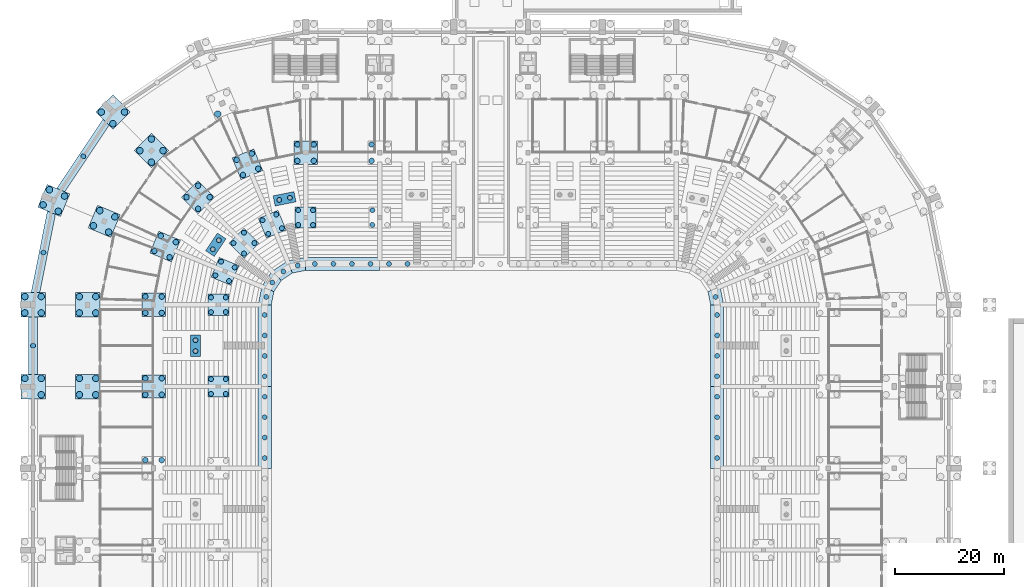
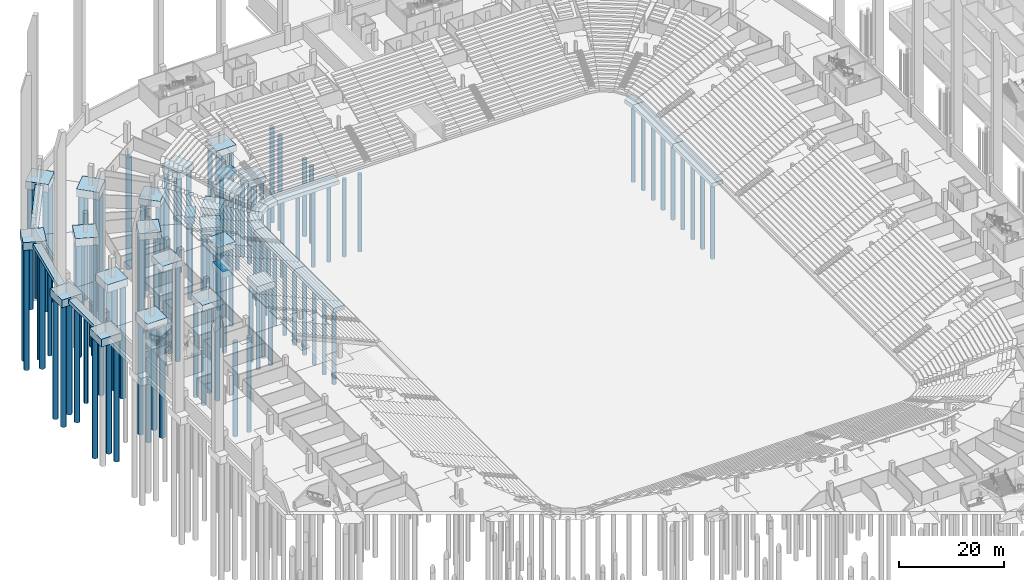
# One storey, part 6 of 115: 121 piles, 36 footings.
"""IFC4 building model written with IfcOpenShell, lengths in metres."""

from ifc_helpers import new_model, si_unit, direction, frame, origin, origin_2d, place, context, subcontext, project, spatial, polyline, rectangle, circle, outline, extrude, material, layer, layer_set, material_profile, profile_set, type_object, element, save


model = new_model("IFC4")

# Units and contexts
model_context = context("Model", 3, precision=1e-05, world=origin(), true_north=direction((0.0, 1.0)))
body_context = subcontext(model_context, "Body", "Model", "MODEL_VIEW")
ifc_project = project(units=[si_unit("LENGTHUNIT", "METRE"), si_unit("AREAUNIT", "SQUARE_METRE"), si_unit("VOLUMEUNIT", "CUBIC_METRE"), si_unit("PLANEANGLEUNIT", "RADIAN"), si_unit("MASSUNIT", "GRAM", prefix="KILO")], contexts=[model_context])

# Site, building, storey
site_placement = place(None, origin())
site = spatial("IfcSite", under=ifc_project, at=site_placement, CompositionType="ELEMENT")
building_placement = place(site_placement, origin())
building = spatial("IfcBuilding", under=site, at=building_placement, Name="Ogive Plaza Stadium", CompositionType="ELEMENT")
storey_placement = place(building_placement, frame((0.0, 0.0, -4.5)))
storey = spatial("IfcBuildingStorey", under=building, at=storey_placement, Name="B1", CompositionType="ELEMENT", Elevation=-4.5)

# Piles
ifc_material_1 = material(Name="Concrete C40/50", Category="concrete")
ifc_material_profile_1 = material_profile(ifc_material_1, circle(Radius=0.5, at=origin_2d()), Name="RC D1000")
ifc_profile_set_1 = profile_set([ifc_material_profile_1], Name="Concrete C40/50")
pile_type_1 = type_object("IfcPileType", Name="Bored pile D1000", PredefinedType="BORED", material=ifc_profile_set_1)
for number, where, z_axis, x_axis, name in (
    (1, (-60.39990234375, 24.0, -1.5), (0.0, 0.0, -1.0), (1.0, 0.0, 0.0), "Bored pile F3:R26 1"),
    (2, (-63.39990234375, 24.0, -1.5), (0.0, 0.0, -1.0), (1.0, 0.0, 0.0), "Bored pile F3:R26 3"),
    (3, (-60.39990234375, 39.0, -1.5), (0.0, 0.0, -1.0), (1.0, 0.0, 0.0), "Bored pile F3:R27 1"),
    (4, (-60.39990234375, 36.0, -1.5), (0.0, 0.0, -1.0), (1.0, 0.0, 0.0), "Bored pile F3:R27 2"),
    (5, (-63.39990234375, 39.0, -1.5), (0.0, 0.0, -1.0), (1.0, 0.0, 0.0), "Bored pile F3:R27 3"),
    (6, (-63.39990234375, 36.0, -1.5), (0.0, 0.0, -1.0), (1.0, 0.0, 0.0), "Bored pile F3:R27 4"),
    (7, (-60.39990234375, 54.0, -1.5), (0.0, 0.0, -1.0), (1.0, 0.0, 0.0), "Bored pile F3:R28 1"),
    (8, (-60.39990234375, 51.0, -1.5), (0.0, 0.0, -1.0), (1.0, 0.0, 0.0), "Bored pile F3:R28 2"),
    (9, (-63.39990234375, 54.0, -1.5), (0.0, 0.0, -1.0), (1.0, 0.0, 0.0), "Bored pile F3:R28 3"),
    (10, (-63.39990234375, 51.0, -1.5), (0.0, 0.0, -1.0), (1.0, 0.0, 0.0), "Bored pile F3:R28 4"),
    (11, (-57.81640625, 63.98876953125, -1.5), (0.0, 0.0, -1.0), (1.0, 0.0, 0.0), "Bored pile F3:R29 1"),
    (12, (-58.96435546875, 61.217041015625, -1.5), (0.0, 0.0, -1.0), (1.0, 0.0, 0.0), "Bored pile F3:R29 2"),
    (13, (-60.588134765625, 65.13671875, -1.5), (0.0, 0.0, -1.0), (1.0, 0.0, 0.0), "Bored pile F3:R29 3"),
    (14, (-61.736083984375, 62.364990234375, -1.5), (0.0, 0.0, -1.0), (1.0, 0.0, 0.0), "Bored pile F3:R29 4"),
    (15, (-51.60693359375, 72.228271484375, -1.5), (0.0, 0.0, -1.0), (1.0, 0.0, 0.0), "Bored pile F3:R30 1"),
    (16, (-53.728271484375, 70.10693359375, -1.5), (0.0, 0.0, -1.0), (1.0, 0.0, 0.0), "Bored pile F3:R30 2"),
    (17, (-53.728271484375, 74.349609375, -1.5), (0.0, 0.0, -1.0), (1.0, 0.0, 0.0), "Bored pile F3:R30 3"),
    (18, (-55.849609375, 72.228271484375, -1.5), (0.0, 0.0, -1.0), (1.0, 0.0, 0.0), "Bored pile F3:R30 4"),
    (19, (-42.717041015625, 77.46435546875, -1.5), (0.0, 0.0, -1.0), (1.0, 0.0, 0.0), "Bored pile F3:R31 1"),
    (20, (-45.48876953125, 76.31640625, -1.5), (0.0, 0.0, -1.0), (1.0, 0.0, 0.0), "Bored pile F3:R31 2"),
    (21, (-43.864990234375, 80.236083984375, -1.5), (0.0, 0.0, -1.0), (1.0, 0.0, 0.0), "Bored pile F3:R31 3"),
    (22, (-46.63671875, 79.088134765625, -1.5), (0.0, 0.0, -1.0), (1.0, 0.0, 0.0), "Bored pile F3:R31 4"),
    (23, (-32.5, 78.89990234375, -1.5), (0.0, 0.0, -1.0), (1.0, 0.0, 0.0), "Bored pile F3:R32 1"),
    (24, (-35.5, 78.89990234375, -1.5), (0.0, 0.0, -1.0), (1.0, 0.0, 0.0), "Bored pile F3:R32 2"),
    (25, (-32.5, 81.89990234375, -1.5), (0.0, 0.0, -1.0), (1.0, 0.0, 0.0), "Bored pile F3:R32 3"),
    (26, (-35.5, 81.89990234375, -1.5), (0.0, 0.0, -1.0), (1.0, 0.0, 0.0), "Bored pile F3:R32 4"),
    (27, (-21.89990234375, 78.89990234375, -1.5), (0.0, 0.0, -1.0), (1.0, 0.0, 0.0), "Bored pile F3:R33 2"),
    (28, (-21.89990234375, 81.89990234375, -1.5), (0.0, 0.0, -1.0), (1.0, 0.0, 0.0), "Bored pile F3:R33 4"),
):
    element("IfcPile", number, at=place(storey_placement, frame(where, z_axis=z_axis, x_axis=x_axis)), inside=storey, type_object=pile_type_1, Name=name, PredefinedType="BORED", context=body_context, shape_type="SweptSolid", body=[
        extrude(circle(Radius=0.5, at=origin_2d()), origin(), (0.0, 0.0, 1.0), 22.0),
    ])
ifc_material_2 = material(Name="Concrete C40/50", Category="concrete")
ifc_material_profile_2 = material_profile(ifc_material_2, circle(Radius=0.60009765625, at=origin_2d()), Name="RC D1200")
ifc_profile_set_2 = profile_set([ifc_material_profile_2], Name="Concrete C40/50")
pile_type_2 = type_object("IfcPileType", Name="Bored pile D1200", PredefinedType="BORED", material=ifc_profile_set_2)
for number, where, z_axis, x_axis, name in (
    (29, (-72.5, 39.0, -1.800048828125), (0.0, 0.0, -1.0), (1.0, 0.0, 0.0), "Bored pile F4:R27 1"),
    (30, (-72.5, 36.0, -1.800048828125), (0.0, 0.0, -1.0), (1.0, 0.0, 0.0), "Bored pile F4:R27 2"),
    (31, (-75.5, 39.0, -1.800048828125), (0.0, 0.0, -1.0), (1.0, 0.0, 0.0), "Bored pile F4:R27 3"),
    (32, (-75.5, 36.0, -1.800048828125), (0.0, 0.0, -1.0), (1.0, 0.0, 0.0), "Bored pile F4:R27 4"),
):
    element("IfcPile", number, at=place(storey_placement, frame(where, z_axis=z_axis, x_axis=x_axis)), inside=storey, type_object=pile_type_2, Name=name, PredefinedType="BORED", context=body_context, shape_type="SweptSolid", body=[
        extrude(circle(Radius=0.60009765625, at=origin_2d()), origin(), (0.0, 0.0, 1.0), 26.0),
    ])
for number, where, z_axis, x_axis, name in (
    (33, (-82.5, 39.0, -1.800048828125), (0.0, 0.0, -1.0), (1.0, 0.0, 0.0), "Bored pile F5:R27 1"),
    (34, (-82.5, 36.0, -1.800048828125), (0.0, 0.0, -1.0), (1.0, 0.0, 0.0), "Bored pile F5:R27 2"),
    (35, (-85.5, 39.0, -1.800048828125), (0.0, 0.0, -1.0), (1.0, 0.0, 0.0), "Bored pile F5:R27 3"),
):
    element("IfcPile", number, at=place(storey_placement, frame(where, z_axis=z_axis, x_axis=x_axis)), inside=storey, type_object=pile_type_2, Name=name, PredefinedType="BORED", context=body_context, shape_type="SweptSolid", body=[
        extrude(circle(Radius=0.60009765625, at=origin_2d()), origin(), (0.0, 0.0, 1.0), 28.0),
    ])
for number, where, z_axis, x_axis, name in (
    (36, (-72.5, 54.0, -1.800048828125), (0.0, 0.0, -1.0), (1.0, 0.0, 0.0), "Bored pile F4:R28 1"),
    (37, (-72.5, 51.0, -1.800048828125), (0.0, 0.0, -1.0), (1.0, 0.0, 0.0), "Bored pile F4:R28 2"),
    (38, (-75.5, 54.0, -1.800048828125), (0.0, 0.0, -1.0), (1.0, 0.0, 0.0), "Bored pile F4:R28 3"),
    (39, (-75.5, 51.0, -1.800048828125), (0.0, 0.0, -1.0), (1.0, 0.0, 0.0), "Bored pile F4:R28 4"),
):
    element("IfcPile", number, at=place(storey_placement, frame(where, z_axis=z_axis, x_axis=x_axis)), inside=storey, type_object=pile_type_2, Name=name, PredefinedType="BORED", context=body_context, shape_type="SweptSolid", body=[
        extrude(circle(Radius=0.60009765625, at=origin_2d()), origin(), (0.0, 0.0, 1.0), 26.0),
    ])
for number, where, z_axis, x_axis, name in (
    (40, (-82.5, 54.0, -1.800048828125), (0.0, 0.0, -1.0), (1.0, 0.0, 0.0), "Bored pile F5:R28 1"),
    (41, (-82.5, 51.0, -1.800048828125), (0.0, 0.0, -1.0), (1.0, 0.0, 0.0), "Bored pile F5:R28 2"),
    (42, (-85.5, 54.0, -1.800048828125), (0.0, 0.0, -1.0), (1.0, 0.0, 0.0), "Bored pile F5:R28 3"),
    (43, (-85.5, 51.0, -1.800048828125), (0.0, 0.0, -1.0), (1.0, 0.0, 0.0), "Bored pile F5:R28 4"),
):
    element("IfcPile", number, at=place(storey_placement, frame(where, z_axis=z_axis, x_axis=x_axis)), inside=storey, type_object=pile_type_2, Name=name, PredefinedType="BORED", context=body_context, shape_type="SweptSolid", body=[
        extrude(circle(Radius=0.60009765625, at=origin_2d()), origin(), (0.0, 0.0, 1.0), 28.0),
    ])
for number, where, z_axis, x_axis, name in (
    (44, (-68.995361328125, 68.619140625, -1.800048828125), (0.0, 0.0, -1.0), (1.0, 0.0, 0.0), "Bored pile F4:R29 1"),
    (45, (-70.143310546875, 65.847412109375, -1.800048828125), (0.0, 0.0, -1.0), (1.0, 0.0, 0.0), "Bored pile F4:R29 2"),
    (46, (-71.76708984375, 69.76708984375, -1.800048828125), (0.0, 0.0, -1.0), (1.0, 0.0, 0.0), "Bored pile F4:R29 3"),
    (47, (-72.9150390625, 66.99560546875, -1.800048828125), (0.0, 0.0, -1.0), (1.0, 0.0, 0.0), "Bored pile F4:R29 4"),
):
    element("IfcPile", number, at=place(storey_placement, frame(where, z_axis=z_axis, x_axis=x_axis)), inside=storey, type_object=pile_type_2, Name=name, PredefinedType="BORED", context=body_context, shape_type="SweptSolid", body=[
        extrude(circle(Radius=0.60009765625, at=origin_2d()), origin(), (0.0, 0.0, 1.0), 26.0),
    ])
for number, where, z_axis, x_axis, name in (
    (48, (-78.234130859375, 72.446044921875, -1.800048828125), (0.0, 0.0, -1.0), (1.0, 0.0, 0.0), "Bored pile F5:R29 1"),
    (49, (-79.382080078125, 69.67431640625, -1.800048828125), (0.0, 0.0, -1.0), (1.0, 0.0, 0.0), "Bored pile F5:R29 2"),
    (50, (-81.005859375, 73.593994140625, -1.800048828125), (0.0, 0.0, -1.0), (1.0, 0.0, 0.0), "Bored pile F5:R29 3"),
    (51, (-82.15380859375, 70.822265625, -1.800048828125), (0.0, 0.0, -1.0), (1.0, 0.0, 0.0), "Bored pile F5:R29 4"),
):
    element("IfcPile", number, at=place(storey_placement, frame(where, z_axis=z_axis, x_axis=x_axis)), inside=storey, type_object=pile_type_2, Name=name, PredefinedType="BORED", context=body_context, shape_type="SweptSolid", body=[
        extrude(circle(Radius=0.60009765625, at=origin_2d()), origin(), (0.0, 0.0, 1.0), 28.0),
    ])
for number, where, z_axis, x_axis, name in (
    (52, (-60.162841796875, 80.7841796875, -1.800048828125), (0.0, 0.0, -1.0), (1.0, 0.0, 0.0), "Bored pile F4:R30 1"),
    (53, (-62.2841796875, 78.662841796875, -1.800048828125), (0.0, 0.0, -1.0), (1.0, 0.0, 0.0), "Bored pile F4:R30 2"),
    (54, (-62.2841796875, 82.905517578125, -1.800048828125), (0.0, 0.0, -1.0), (1.0, 0.0, 0.0), "Bored pile F4:R30 3"),
    (55, (-64.405517578125, 80.7841796875, -1.800048828125), (0.0, 0.0, -1.0), (1.0, 0.0, 0.0), "Bored pile F4:R30 4"),
):
    element("IfcPile", number, at=place(storey_placement, frame(where, z_axis=z_axis, x_axis=x_axis)), inside=storey, type_object=pile_type_2, Name=name, PredefinedType="BORED", context=body_context, shape_type="SweptSolid", body=[
        extrude(circle(Radius=0.60009765625, at=origin_2d()), origin(), (0.0, 0.0, 1.0), 26.0),
    ])
for number, where, z_axis, x_axis, name in (
    (56, (-67.234130859375, 87.855224609375, -1.800048828125), (0.0, 0.0, -1.0), (1.0, 0.0, 0.0), "Bored pile F5:R30 1"),
    (57, (-69.355224609375, 85.734130859375, -1.800048828125), (0.0, 0.0, -1.0), (1.0, 0.0, 0.0), "Bored pile F5:R30 2"),
    (58, (-71.4765625, 87.855224609375, -1.800048828125), (0.0, 0.0, -1.0), (1.0, 0.0, 0.0), "Bored pile F5:R30 4"),
):
    element("IfcPile", number, at=place(storey_placement, frame(where, z_axis=z_axis, x_axis=x_axis)), inside=storey, type_object=pile_type_2, Name=name, PredefinedType="BORED", context=body_context, shape_type="SweptSolid", body=[
        extrude(circle(Radius=0.60009765625, at=origin_2d()), origin(), (0.0, 0.0, 1.0), 28.0),
    ])
pile_placement = place(storey_placement, frame((-50.119140625, 87.495361328125, -1.800048828125), z_axis=(0.0, 0.0, -1.0), x_axis=(1.0, 0.0, 0.0)))
element("IfcPile", 59, at=pile_placement, inside=storey, type_object=pile_type_2, Name="Bored pile F4:R31 2", PredefinedType="BORED", context=body_context, shape_type="SweptSolid", body=[
    extrude(circle(Radius=0.60009765625, at=origin_2d()), origin(), (0.0, 0.0, 1.0), 26.0),
])
ifc_material_3 = material(Name="Concrete C40/50", Category="concrete")
ifc_material_profile_3 = material_profile(ifc_material_3, circle(Radius=0.449951171875, at=origin_2d()), Name="RC D900")
ifc_profile_set_3 = profile_set([ifc_material_profile_3], Name="Concrete C40/50")
pile_type_3 = type_object("IfcPileType", Name="Bored pile D900", PredefinedType="BORED", material=ifc_profile_set_3)
for number, where, z_axis, x_axis, name in (
    (60, (-48.64990234375, 38.85009765625, -1.5), (0.0, 0.0, -1.0), (1.0, 0.0, 0.0), "Bored pile F1:R27 1"),
    (61, (-48.64990234375, 36.14990234375, -1.5), (0.0, 0.0, -1.0), (1.0, 0.0, 0.0), "Bored pile F1:R27 2"),
    (62, (-51.35009765625, 38.85009765625, -1.5), (0.0, 0.0, -1.0), (1.0, 0.0, 0.0), "Bored pile F1:R27 3"),
    (63, (-51.35009765625, 36.14990234375, -1.5), (0.0, 0.0, -1.0), (1.0, 0.0, 0.0), "Bored pile F1:R27 4"),
    (64, (-48.64990234375, 53.85009765625, -1.5), (0.0, 0.0, -1.0), (1.0, 0.0, 0.0), "Bored pile F1:R28 1"),
    (65, (-48.64990234375, 51.14990234375, -1.5), (0.0, 0.0, -1.0), (1.0, 0.0, 0.0), "Bored pile F1:R28 2"),
    (66, (-51.35009765625, 53.85009765625, -1.5), (0.0, 0.0, -1.0), (1.0, 0.0, 0.0), "Bored pile F1:R28 3"),
    (67, (-51.35009765625, 51.14990234375, -1.5), (0.0, 0.0, -1.0), (1.0, 0.0, 0.0), "Bored pile F1:R28 4"),
    (68, (-47.018310546875, 59.353515625, -1.5), (0.0, 0.0, -1.0), (1.0, 0.0, 0.0), "Bored pile F1:R29 1"),
    (69, (-48.051513671875, 56.859130859375, -1.5), (0.0, 0.0, -1.0), (1.0, 0.0, 0.0), "Bored pile F1:R29 2"),
    (70, (-49.5126953125, 60.38671875, -1.5), (0.0, 0.0, -1.0), (1.0, 0.0, 0.0), "Bored pile F1:R29 3"),
    (71, (-50.5458984375, 57.892333984375, -1.5), (0.0, 0.0, -1.0), (1.0, 0.0, 0.0), "Bored pile F1:R29 4"),
    (72, (-43.404541015625, 63.813720703125, -1.5), (0.0, 0.0, -1.0), (1.0, 0.0, 0.0), "Bored pile F1:R30 1"),
    (73, (-45.313720703125, 61.904541015625, -1.5), (0.0, 0.0, -1.0), (1.0, 0.0, 0.0), "Bored pile F1:R30 2"),
    (74, (-45.313720703125, 65.722900390625, -1.5), (0.0, 0.0, -1.0), (1.0, 0.0, 0.0), "Bored pile F1:R30 3"),
    (75, (-47.222900390625, 63.813720703125, -1.5), (0.0, 0.0, -1.0), (1.0, 0.0, 0.0), "Bored pile F1:R30 4"),
    (76, (-38.359130859375, 66.551513671875, -1.5), (0.0, 0.0, -1.0), (1.0, 0.0, 0.0), "Bored pile F1:R31 1"),
    (77, (-40.853515625, 65.518310546875, -1.5), (0.0, 0.0, -1.0), (1.0, 0.0, 0.0), "Bored pile F1:R31 2"),
    (78, (-39.392333984375, 69.0458984375, -1.5), (0.0, 0.0, -1.0), (1.0, 0.0, 0.0), "Bored pile F1:R31 3"),
    (79, (-41.88671875, 68.0126953125, -1.5), (0.0, 0.0, -1.0), (1.0, 0.0, 0.0), "Bored pile F1:R31 4"),
    (80, (-32.64990234375, 67.14990234375, -1.5), (0.0, 0.0, -1.0), (1.0, 0.0, 0.0), "Bored pile F1:R32 1"),
    (81, (-35.35009765625, 67.14990234375, -1.5), (0.0, 0.0, -1.0), (1.0, 0.0, 0.0), "Bored pile F1:R32 2"),
    (82, (-32.64990234375, 69.85009765625, -1.5), (0.0, 0.0, -1.0), (1.0, 0.0, 0.0), "Bored pile F1:R32 3"),
    (83, (-35.35009765625, 69.85009765625, -1.5), (0.0, 0.0, -1.0), (1.0, 0.0, 0.0), "Bored pile F1:R32 4"),
    (84, (-21.75, 67.14990234375, -1.5), (0.0, 0.0, -1.0), (1.0, 0.0, 0.0), "Bored pile F1:R33 2"),
    (85, (-21.75, 69.85009765625, -1.5), (0.0, 0.0, -1.0), (1.0, 0.0, 0.0), "Bored pile F1:R33 4"),
    (86, (41.5, 50.625, -1.300048828125), (0.0, 0.0, -1.0), (1.0, 0.0, 0.0), "Bored pile F0:B01 1"),
    (87, (41.5, 46.875, -1.300048828125), (0.0, 0.0, -1.0), (1.0, 0.0, 0.0), "Bored pile F0:B01 2"),
    (88, (41.5, 43.125, -1.300048828125), (0.0, 0.0, -1.0), (1.0, 0.0, 0.0), "Bored pile F0:B01 3"),
    (89, (41.5, 39.375, -1.300048828125), (0.0, 0.0, -1.0), (1.0, 0.0, 0.0), "Bored pile F0:B01 4"),
    (90, (41.5, 35.625, -1.300048828125), (0.0, 0.0, -1.0), (1.0, 0.0, 0.0), "Bored pile F0:B02 1"),
    (91, (41.5, 31.875, -1.300048828125), (0.0, 0.0, -1.0), (1.0, 0.0, 0.0), "Bored pile F0:B02 2"),
    (92, (41.5, 28.125, -1.300048828125), (0.0, 0.0, -1.0), (1.0, 0.0, 0.0), "Bored pile F0:B02 3"),
    (93, (41.5, 24.375, -1.300048828125), (0.0, 0.0, -1.0), (1.0, 0.0, 0.0), "Bored pile F0:B02 4"),
    (94, (-41.5, 24.375, -1.300048828125), (0.0, 0.0, -1.0), (1.0, 0.0, 0.0), "Bored pile F0:B26 1"),
    (95, (-41.5, 28.125, -1.300048828125), (0.0, 0.0, -1.0), (1.0, 0.0, 0.0), "Bored pile F0:B26 2"),
    (96, (-41.5, 31.875, -1.300048828125), (0.0, 0.0, -1.0), (1.0, 0.0, 0.0), "Bored pile F0:B26 3"),
    (97, (-41.5, 35.625, -1.300048828125), (0.0, 0.0, -1.0), (1.0, 0.0, 0.0), "Bored pile F0:B26 4"),
    (98, (-41.5, 39.375, -1.300048828125), (0.0, 0.0, -1.0), (1.0, 0.0, 0.0), "Bored pile F0:B27 1"),
    (99, (-41.5, 43.125, -1.300048828125), (0.0, 0.0, -1.0), (1.0, 0.0, 0.0), "Bored pile F0:B27 2"),
    (100, (-41.5, 46.875, -1.300048828125), (0.0, 0.0, -1.0), (1.0, 0.0, 0.0), "Bored pile F0:B27 3"),
    (101, (-41.5, 50.625, -1.300048828125), (0.0, 0.0, -1.0), (1.0, 0.0, 0.0), "Bored pile F0:B27 4"),
    (102, (-41.214599609375, 53.93505859375, -1.300048828125), (0.0, 0.0, -1.0), (1.0, 0.0, 0.0), "Bored pile F0:B28 1"),
    (103, (-40.1162109375, 56.586669921875, -1.300048828125), (0.0, 0.0, -1.0), (1.0, 0.0, 0.0), "Bored pile F0:B29 1"),
    (104, (-38.086669921875, 58.6162109375, -1.300048828125), (0.0, 0.0, -1.0), (1.0, 0.0, 0.0), "Bored pile F0:B30 1"),
    (105, (-35.43505859375, 59.714599609375, -1.300048828125), (0.0, 0.0, -1.0), (1.0, 0.0, 0.0), "Bored pile F0:B31 1"),
    (106, (-32.300048828125, 60.0, -1.300048828125), (0.0, 0.0, -1.0), (1.0, 0.0, 0.0), "Bored pile F0:B32 1"),
    (107, (-28.89990234375, 60.0, -1.300048828125), (0.0, 0.0, -1.0), (1.0, 0.0, 0.0), "Bored pile F0:B32 2"),
    (108, (-25.5, 60.0, -1.300048828125), (0.0, 0.0, -1.0), (1.0, 0.0, 0.0), "Bored pile F0:B32 3"),
    (109, (-22.10009765625, 60.0, -1.300048828125), (0.0, 0.0, -1.0), (1.0, 0.0, 0.0), "Bored pile F0:B32 4"),
    (110, (-18.699951171875, 60.0, -1.300048828125), (0.0, 0.0, -1.0), (1.0, 0.0, 0.0), "Bored pile F0:B33 1"),
    (111, (-15.300048828125, 60.0, -1.300048828125), (0.0, 0.0, -1.0), (1.0, 0.0, 0.0), "Bored pile F0:B33 2"),
    (112, (41.214599609375, 53.93505859375, -1.300048828125), (0.0, 0.0, -1.0), (1.0, 0.0, 0.0), "Bored pile F0:B40 1"),
):
    element("IfcPile", number, at=place(storey_placement, frame(where, z_axis=z_axis, x_axis=x_axis)), inside=storey, type_object=pile_type_3, Name=name, PredefinedType="BORED", context=body_context, shape_type="SweptSolid", body=[
        extrude(circle(Radius=0.449951171875, at=origin_2d()), origin(), (0.0, 0.0, 1.0), 18.0),
    ])
for number, where, z_axis, x_axis, name in (
    (113, (-84.0, 45.0, -1.300048828125), (0.0, 0.0, -1.0), (1.0, 0.0, 0.0), "Bored pile RET:B27 1"),
    (114, (-82.102294921875, 62.068115234375, -1.300048828125), (0.0, 0.0, -1.0), (1.0, 0.0, 0.0), "Bored pile RET:B28 1"),
    (115, (-74.779296875, 79.747802734375, -1.300048828125), (0.0, 0.0, -1.0), (1.0, 0.0, 0.0), "Bored pile RET:B29 1"),
):
    element("IfcPile", number, at=place(storey_placement, frame(where, z_axis=z_axis, x_axis=x_axis)), inside=storey, type_object=pile_type_3, Name=name, PredefinedType="BORED", context=body_context, shape_type="SweptSolid", body=[
        extrude(circle(Radius=0.449951171875, at=origin_2d()), origin(), (0.0, 0.0, 1.0), 20.0),
    ])
for number, where, z_axis, x_axis, name in (
    (116, (-54.199951171875, 46.0, -1.5), (0.0, 0.0, -1.0), (1.0, 0.0, 0.0), "Bored pile F1V:B27 1"),
    (117, (-54.199951171875, 44.0, -1.5), (0.0, 0.0, -1.0), (1.0, 0.0, 0.0), "Bored pile F1V:B27 2"),
    (118, (-49.91748046875, 64.33837890625, -1.5), (0.0, 0.0, -1.0), (1.0, 0.0, 0.0), "Bored pile F1V:B29 1"),
    (119, (-51.028564453125, 62.67529296875, -1.5), (0.0, 0.0, -1.0), (1.0, 0.0, 0.0), "Bored pile F1V:B29 2"),
    (120, (-36.88427734375, 72.126220703125, -1.5), (0.0, 0.0, -1.0), (1.0, 0.0, 0.0), "Bored pile F1V:B31 1"),
    (121, (-38.845947265625, 71.736083984375, -1.5), (0.0, 0.0, -1.0), (1.0, 0.0, 0.0), "Bored pile F1V:B31 2"),
):
    element("IfcPile", number, at=place(storey_placement, frame(where, z_axis=z_axis, x_axis=x_axis)), inside=storey, type_object=pile_type_3, Name=name, PredefinedType="BORED", context=body_context, shape_type="SweptSolid", body=[
        extrude(circle(Radius=0.449951171875, at=origin_2d()), origin(), (0.0, 0.0, 1.0), 18.0),
    ])

# Footings
ifc_material_4 = material(Name="Concrete C40/50", Category="concrete")
ifc_layer_1 = layer(ifc_material_4, 1.5)
ifc_layer_set_1 = layer_set([ifc_layer_1], Name="Concrete C40/50")
footing_type_1 = type_object("IfcFootingType", Name="Pile cap F1 3900x1500", PredefinedType="PILE_CAP", material=ifc_layer_set_1)
for number, where, z_axis, x_axis, name in (
    (122, (-50.0, 37.5, -1.5), (0.0, 0.0, 1.0), (-1.0, 0.0, 0.0), "Pile cap F1 R27"),
    (123, (-50.0, 52.5, -1.5), (0.0, 0.0, 1.0), (-1.0, 0.0, 0.0), "Pile cap F1 R28"),
    (124, (-48.781982421875, 58.623046875, -1.5), (0.0, 0.0, 1.0), (-0.923879532511, 0.382683432365, 0.0), "Pile cap F1 R29"),
    (125, (-45.313720703125, 63.813720703125, -1.5), (0.0, 0.0, 1.0), (-0.707106781187, 0.707106781187, 0.0), "Pile cap F1 R30"),
    (126, (-40.123046875, 67.281982421875, -1.5), (0.0, 0.0, 1.0), (-0.382683432365, 0.923879532511, 0.0), "Pile cap F1 R31"),
    (127, (-34.0, 68.5, -1.5), (0.0, 0.0, 1.0), (0.0, 1.0, 0.0), "Pile cap F1 R32"),
):
    element("IfcFooting", number, at=place(storey_placement, frame(where, z_axis=z_axis, x_axis=x_axis)), inside=storey, type_object=footing_type_1, Name=name, PredefinedType="PILE_CAP", context=body_context, shape_type="SweptSolid", body=[
        extrude(rectangle(XDim=3.89990234375, YDim=3.89990234375, at=origin_2d()), origin(), (0.0, 0.0, 1.0), 1.5),
    ])
ifc_material_5 = material(Name="Concrete C40/50", Category="concrete")
ifc_layer_2 = layer(ifc_material_5, 1.5)
ifc_layer_set_2 = layer_set([ifc_layer_2], Name="Concrete C40/50")
footing_type_2 = type_object("IfcFootingType", Name="Pile cap F1V 1900x3900", PredefinedType="PILE_CAP", material=ifc_layer_set_2)
for number, where, z_axis, x_axis, name in (
    (128, (-54.199951171875, 45.0, -1.5), (0.0, 0.0, 1.0), (-1.0, 0.0, 0.0), "Pile cap F1V B27"),
    (129, (-50.472900390625, 63.5068359375, -1.5), (0.0, 0.0, 1.0), (-0.831469612303, 0.55557023302, 0.0), "Pile cap F1V B29"),
    (130, (-37.864990234375, 71.93115234375, -1.5), (0.0, 0.0, 1.0), (-0.195090322016, 0.980785280403, 0.0), "Pile cap F1V B31"),
):
    element("IfcFooting", number, at=place(storey_placement, frame(where, z_axis=z_axis, x_axis=x_axis)), inside=storey, type_object=footing_type_2, Name=name, PredefinedType="PILE_CAP", context=body_context, shape_type="SweptSolid", body=[
        extrude(rectangle(XDim=1.89990234375, YDim=3.89990234375, at=origin_2d()), origin(), (0.0, 0.0, 1.0), 1.5),
    ])
ifc_material_6 = material(Name="Concrete C40/50", Category="concrete")
ifc_layer_3 = layer(ifc_material_6, 1.5)
ifc_layer_set_3 = layer_set([ifc_layer_3], Name="Concrete C40/50")
footing_type_3 = type_object("IfcFootingType", Name="Pile cap F3 4300x1500", PredefinedType="PILE_CAP", material=ifc_layer_set_3)
for number, where, z_axis, x_axis, name in (
    (131, (-61.89990234375, 37.5, -1.5), (0.0, 0.0, 1.0), (-1.0, 0.0, 0.0), "Pile cap F3 R27"),
    (132, (-61.89990234375, 52.5, -1.5), (0.0, 0.0, 1.0), (-1.0, 0.0, 0.0), "Pile cap F3 R28"),
    (133, (-59.776123046875, 63.1767578125, -1.5), (0.0, 0.0, 1.0), (-0.923879532511, 0.382683432365, 0.0), "Pile cap F3 R29"),
    (134, (-53.728271484375, 72.228271484375, -1.5), (0.0, 0.0, 1.0), (-0.707106781187, 0.707106781187, 0.0), "Pile cap F3 R30"),
    (135, (-44.6767578125, 78.276123046875, -1.5), (0.0, 0.0, 1.0), (-0.382683432365, 0.923879532511, 0.0), "Pile cap F3 R31"),
    (136, (-34.0, 80.39990234375, -1.5), (0.0, 0.0, 1.0), (0.0, 1.0, 0.0), "Pile cap F3 R32"),
):
    element("IfcFooting", number, at=place(storey_placement, frame(where, z_axis=z_axis, x_axis=x_axis)), inside=storey, type_object=footing_type_3, Name=name, PredefinedType="PILE_CAP", context=body_context, shape_type="SweptSolid", body=[
        extrude(rectangle(XDim=4.300048828125, YDim=4.300048828125, at=origin_2d()), origin(), (0.0, 0.0, 1.0), 1.5),
    ])
ifc_material_7 = material(Name="Concrete C40/50", Category="concrete")
ifc_layer_4 = layer(ifc_material_7, 1.800048828125)
ifc_layer_set_4 = layer_set([ifc_layer_4], Name="Concrete C40/50")
footing_type_4 = type_object("IfcFootingType", Name="Pile cap F4 4500x1800", PredefinedType="PILE_CAP", material=ifc_layer_set_4)
for number, where, z_axis, x_axis, name in (
    (137, (-74.0, 37.5, -1.7998046875), (0.0, 0.0, 1.0), (-1.0, 0.0, 0.0), "Pile cap F4 R27"),
    (138, (-74.0, 52.5, -1.7998046875), (0.0, 0.0, 1.0), (-1.0, 0.0, 0.0), "Pile cap F4 R28"),
    (139, (-70.955078125, 67.807373046875, -1.7998046875), (0.0, 0.0, 1.0), (-0.923879532511, 0.382683432365, 0.0), "Pile cap F4 R29"),
    (140, (-62.2841796875, 80.7841796875, -1.7998046875), (0.0, 0.0, 1.0), (-0.707106781187, 0.707106781187, 0.0), "Pile cap F4 R30"),
):
    element("IfcFooting", number, at=place(storey_placement, frame(where, z_axis=z_axis, x_axis=x_axis)), inside=storey, type_object=footing_type_4, Name=name, PredefinedType="PILE_CAP", context=body_context, shape_type="SweptSolid", body=[
        extrude(rectangle(XDim=4.5, YDim=4.5, at=origin_2d()), origin(), (0.0, 0.0, 1.0), 1.800048828125),
    ])
ifc_material_8 = material(Name="Concrete C40/50", Category="concrete")
ifc_layer_5 = layer(ifc_material_8, 1.800048828125)
ifc_layer_set_5 = layer_set([ifc_layer_5], Name="Concrete C40/50")
footing_type_5 = type_object("IfcFootingType", Name="Pile cap F5 4500x1800", PredefinedType="PILE_CAP", material=ifc_layer_set_5)
for number, where, z_axis, x_axis, name in (
    (141, (-84.0, 37.5, -1.7998046875), (0.0, 0.0, 1.0), (-1.0, 0.0, 0.0), "Pile cap F5 R27"),
    (142, (-84.0, 52.5, -1.7998046875), (0.0, 0.0, 1.0), (-1.0, 0.0, 0.0), "Pile cap F5 R28"),
    (143, (-80.194091796875, 71.63427734375, -1.7998046875), (0.0, 0.0, 1.0), (-0.923879532511, 0.382683432365, 0.0), "Pile cap F5 R29"),
    (144, (-69.355224609375, 87.855224609375, -1.7998046875), (0.0, 0.0, 1.0), (-0.707106781187, 0.707106781187, 0.0), "Pile cap F5 R30"),
):
    element("IfcFooting", number, at=place(storey_placement, frame(where, z_axis=z_axis, x_axis=x_axis)), inside=storey, type_object=footing_type_5, Name=name, PredefinedType="PILE_CAP", context=body_context, shape_type="SweptSolid", body=[
        extrude(rectangle(XDim=4.5, YDim=4.5, at=origin_2d()), origin(), (0.0, 0.0, 1.0), 1.800048828125),
    ])
ifc_material_9 = material(Name="Concrete C40/50", Category="concrete")
ifc_layer_6 = layer(ifc_material_9, 0.89990234375)
ifc_layer_set_6 = layer_set([ifc_layer_6], Name="Concrete C40/50")
footing_type_6 = type_object("IfcFootingType", Name="Strip footing F0 900", PredefinedType="STRIP_FOOTING", material=ifc_layer_set_6)
footing_1_placement = place(storey_placement, frame((0.0, 0.0, -1.300048828125)))
element("IfcFooting", 145, at=footing_1_placement, inside=storey, type_object=footing_type_6, Name="Strip footing F0 B01", PredefinedType="STRIP_FOOTING", context=body_context, shape_type="SweptSolid", body=[
    extrude(outline(polyline([(40.300048828125, 37.5), (42.699951171875, 37.5), (42.699951171875, 52.5), (40.300048828125, 52.5), (40.300048828125, 37.5)])), origin(), (0.0, 0.0, 1.0), 0.900146484375),
])
footing_2_placement = place(storey_placement, frame((0.0, 0.0, -1.300048828125)))
element("IfcFooting", 146, at=footing_2_placement, inside=storey, type_object=footing_type_6, Name="Strip footing F0 B02", PredefinedType="STRIP_FOOTING", context=body_context, shape_type="SweptSolid", body=[
    extrude(outline(polyline([(40.300048828125, 22.5), (42.699951171875, 22.5), (42.699951171875, 37.5), (40.300048828125, 37.5), (40.300048828125, 22.5)])), origin(), (0.0, 0.0, 1.0), 0.900146484375),
])
footing_3_placement = place(storey_placement, frame((0.0, 0.0, -1.300048828125)))
element("IfcFooting", 147, at=footing_3_placement, inside=storey, type_object=footing_type_6, Name="Strip footing F0 B26", PredefinedType="STRIP_FOOTING", context=body_context, shape_type="SweptSolid", body=[
    extrude(outline(polyline([(-40.300048828125, 37.5), (-42.699951171875, 37.5), (-42.699951171875, 22.5), (-40.300048828125, 22.5), (-40.300048828125, 37.5)])), origin(), (0.0, 0.0, 1.0), 0.900146484375),
])
footing_4_placement = place(storey_placement, frame((0.0, 0.0, -1.300048828125)))
element("IfcFooting", 148, at=footing_4_placement, inside=storey, type_object=footing_type_6, Name="Strip footing F0 B27", PredefinedType="STRIP_FOOTING", context=body_context, shape_type="SweptSolid", body=[
    extrude(outline(polyline([(-40.300048828125, 52.5), (-42.699951171875, 52.5), (-42.699951171875, 37.5), (-40.300048828125, 37.5), (-40.300048828125, 52.5)])), origin(), (0.0, 0.0, 1.0), 0.900146484375),
])
footing_5_placement = place(storey_placement, frame((0.0, 0.0, -1.300048828125)))
element("IfcFooting", 149, at=footing_5_placement, inside=storey, type_object=footing_type_6, Name="Strip footing F0 B28", PredefinedType="STRIP_FOOTING", context=body_context, shape_type="SweptSolid", body=[
    extrude(outline(polyline([(-39.820556640625, 54.910888671875), (-42.037841796875, 55.829345703125), (-42.699951171875, 52.5), (-40.300048828125, 52.5), (-39.820556640625, 54.910888671875)])), origin(), (0.0, 0.0, 1.0), 0.900146484375),
])
footing_6_placement = place(storey_placement, frame((0.0, 0.0, -1.300048828125)))
element("IfcFooting", 150, at=footing_6_placement, inside=storey, type_object=footing_type_6, Name="Strip footing F0 B29", PredefinedType="STRIP_FOOTING", context=body_context, shape_type="SweptSolid", body=[
    extrude(outline(polyline([(-38.454833984375, 56.954833984375), (-40.15185546875, 58.65185546875), (-42.037841796875, 55.829345703125), (-39.820556640625, 54.910888671875), (-38.454833984375, 56.954833984375)])), origin(), (0.0, 0.0, 1.0), 0.900146484375),
])
footing_7_placement = place(storey_placement, frame((0.0, 0.0, -1.300048828125)))
element("IfcFooting", 151, at=footing_7_placement, inside=storey, type_object=footing_type_6, Name="Strip footing F0 B30", PredefinedType="STRIP_FOOTING", context=body_context, shape_type="SweptSolid", body=[
    extrude(outline(polyline([(-36.410888671875, 58.320556640625), (-37.329345703125, 60.537841796875), (-40.15185546875, 58.65185546875), (-38.454833984375, 56.954833984375), (-36.410888671875, 58.320556640625)])), origin(), (0.0, 0.0, 1.0), 0.900146484375),
])
footing_8_placement = place(storey_placement, frame((0.0, 0.0, -1.300048828125)))
element("IfcFooting", 152, at=footing_8_placement, inside=storey, type_object=footing_type_6, Name="Strip footing F0 B31", PredefinedType="STRIP_FOOTING", context=body_context, shape_type="SweptSolid", body=[
    extrude(outline(polyline([(-34.0, 58.800048828125), (-34.0, 61.199951171875), (-37.329345703125, 60.537841796875), (-36.410888671875, 58.320556640625), (-34.0, 58.800048828125)])), origin(), (0.0, 0.0, 1.0), 0.900146484375),
])
footing_9_placement = place(storey_placement, frame((0.0, 0.0, -1.300048828125)))
element("IfcFooting", 153, at=footing_9_placement, inside=storey, type_object=footing_type_6, Name="Strip footing F0 B32", PredefinedType="STRIP_FOOTING", context=body_context, shape_type="SweptSolid", body=[
    extrude(outline(polyline([(-20.39990234375, 58.800048828125), (-20.39990234375, 61.199951171875), (-34.0, 61.199951171875), (-34.0, 58.800048828125), (-20.39990234375, 58.800048828125)])), origin(), (0.0, 0.0, 1.0), 0.900146484375),
])
footing_10_placement = place(storey_placement, frame((0.0, 0.0, -1.300048828125)))
element("IfcFooting", 154, at=footing_10_placement, inside=storey, type_object=footing_type_6, Name="Strip footing F0 B40", PredefinedType="STRIP_FOOTING", context=body_context, shape_type="SweptSolid", body=[
    extrude(outline(polyline([(40.300048828125, 52.5), (42.699951171875, 52.5), (42.037841796875, 55.829345703125), (39.820556640625, 54.910888671875), (40.300048828125, 52.5)])), origin(), (0.0, 0.0, 1.0), 0.900146484375),
])
ifc_material_10 = material(Name="Concrete C40/50", Category="concrete")
ifc_layer_7 = layer(ifc_material_10, 0.89990234375)
ifc_layer_set_7 = layer_set([ifc_layer_7], Name="Concrete C40/50")
footing_type_7 = type_object("IfcFootingType", Name="Strip footing RET 900", PredefinedType="STRIP_FOOTING", material=ifc_layer_set_7)
footing_11_placement = place(storey_placement, frame((0.0, 0.0, -1.300048828125)))
element("IfcFooting", 155, at=footing_11_placement, inside=storey, type_object=footing_type_7, Name="Strip footing retaining wall B27", PredefinedType="STRIP_FOOTING", context=body_context, shape_type="SweptSolid", body=[
    extrude(outline(polyline([(-83.199951171875, 50.25), (-84.800048828125, 50.25), (-84.800048828125, 39.75), (-83.199951171875, 39.75), (-83.199951171875, 50.25)])), origin(), (0.0, 0.0, 1.0), 0.900146484375),
])
footing_12_placement = place(storey_placement, frame((0.0, 0.0, -1.300048828125)))
element("IfcFooting", 156, at=footing_12_placement, inside=storey, type_object=footing_type_7, Name="Strip footing retaining wall B28", PredefinedType="STRIP_FOOTING", context=body_context, shape_type="SweptSolid", body=[
    extrude(outline(polyline([(-79.90234375, 69.078125), (-81.380615234375, 69.6904296875), (-84.3525390625, 54.75), (-82.75244140625, 54.75), (-79.90234375, 69.078125)])), origin(), (0.0, 0.0, 1.0), 0.900146484375),
])
footing_13_placement = place(storey_placement, frame((0.0, 0.0, -1.300048828125)))
element("IfcFooting", 157, at=footing_13_placement, inside=storey, type_object=footing_type_7, Name="Strip footing retaining wall B29", PredefinedType="STRIP_FOOTING", context=body_context, shape_type="SweptSolid", body=[
    extrude(outline(polyline([(-70.064208984375, 85.382080078125), (-71.195556640625, 86.513671875), (-79.658447265625, 73.84765625), (-78.180419921875, 73.235595703125), (-70.064208984375, 85.382080078125)])), origin(), (0.0, 0.0, 1.0), 0.900146484375),
])

save(model, "model.ifc")
